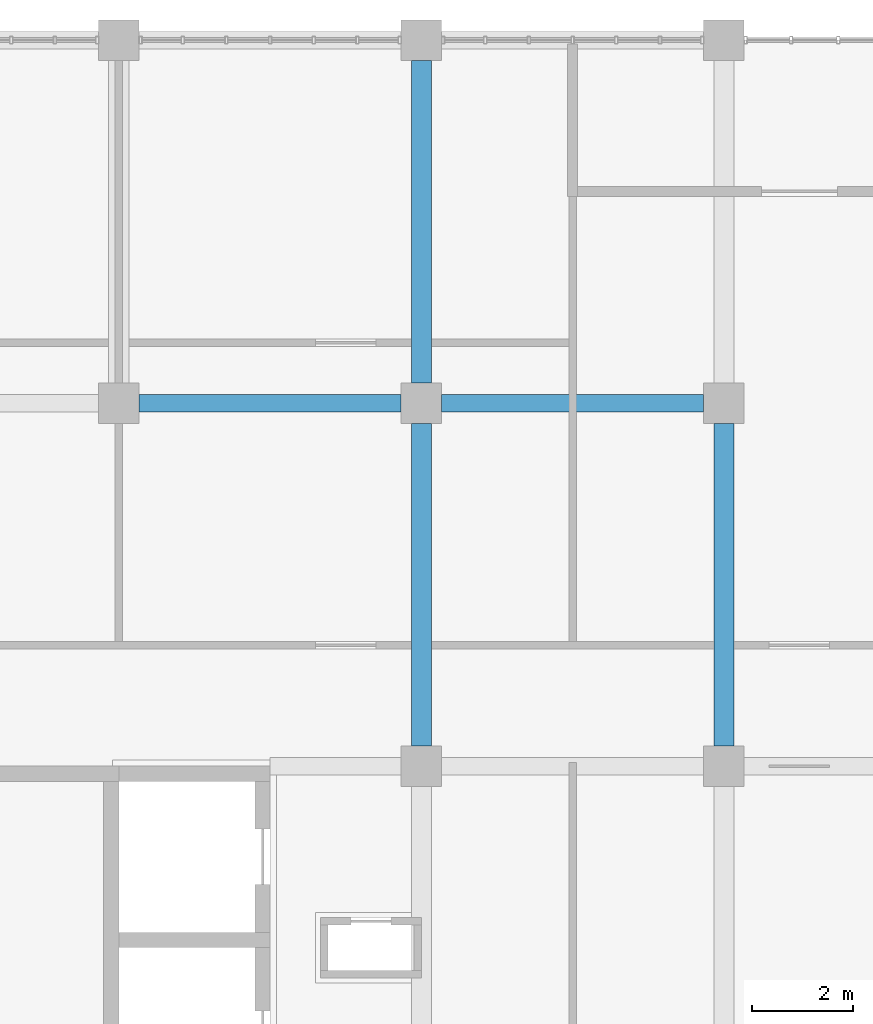
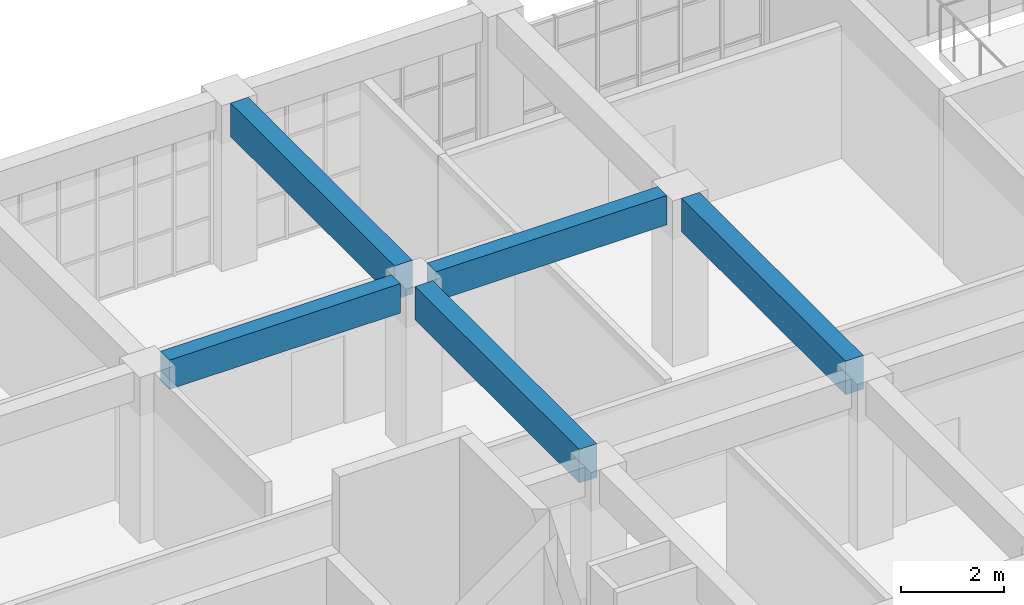
# One storey, part 9 of 51: 5 beams.
"""IFC4 building model written with IfcOpenShell, lengths in metres."""

from ifc_helpers import new_model, si_unit, direction, frame, origin, origin_2d, place, context, subcontext, project, spatial, rectangle, extrude, material, material_profile, profile_set, type_object, element, save


model = new_model("IFC4")

# Units and contexts
model_context = context("Model", 3, precision=1e-05, world=origin(), true_north=direction((0.0, 1.0)))
body_context = subcontext(model_context, "Body", "Model", "MODEL_VIEW")
ifc_project = project(units=[si_unit("LENGTHUNIT", "METRE"), si_unit("AREAUNIT", "SQUARE_METRE"), si_unit("VOLUMEUNIT", "CUBIC_METRE"), si_unit("PLANEANGLEUNIT", "RADIAN"), si_unit("MASSUNIT", "GRAM", prefix="KILO")], contexts=[model_context])

# Site, building, storey
site_placement = place(None, origin())
site = spatial("IfcSite", under=ifc_project, at=site_placement, CompositionType="ELEMENT")
building_placement = place(site_placement, origin())
building = spatial("IfcBuilding", under=site, at=building_placement, Name="Laocheng Heights Fire and Rescue Headquarters", CompositionType="ELEMENT")
storey_placement = place(building_placement, frame((0.0, 0.0, 21.0)))
storey = spatial("IfcBuildingStorey", under=building, at=storey_placement, Name="L05", CompositionType="ELEMENT", Elevation=21.0)

# Beams
ifc_material_1 = material(Name="Concrete C40", Category="concrete")
ifc_material_profile_1 = material_profile(ifc_material_1, rectangle(XDim=0.35009765625, YDim=0.699951171875, at=origin_2d()), Name="RC BEAM 350x700 HQ ROOF")
ifc_profile_set_1 = profile_set([ifc_material_profile_1], Name="Concrete C40")
beam_type_1 = type_object("IfcBeamType", Name="RC BEAM 350x700 HQ ROOF", PredefinedType="BEAM", material=ifc_profile_set_1)
for number, where, z_axis, x_axis, name in (
    (1, (48.39990234375, 64.800048828125, 3.60009765625), (1.0, 0.0, 0.0), (0.0, 1.0, 0.0), "HQ beam L05"),
    (2, (54.39990234375, 64.800048828125, 3.60009765625), (1.0, 0.0, 0.0), (0.0, 1.0, 0.0), "HQ beam L05"),
):
    element("IfcBeam", number, at=place(storey_placement, frame(where, z_axis=z_axis, x_axis=x_axis)), inside=storey, type_object=beam_type_1, Name=name, PredefinedType="BEAM", context=body_context, shape_type="SweptSolid", body=[
        extrude(rectangle(XDim=0.35009765625, YDim=0.699951171875, at=origin_2d()), origin(), (0.0, 0.0, 1.0), 5.2001953125),
    ])
ifc_material_2 = material(Name="Concrete C40", Category="concrete")
ifc_material_profile_2 = material_profile(ifc_material_2, rectangle(XDim=0.39990234375, YDim=0.800048828125, at=origin_2d()), Name="RC BEAM 400x800 HQ ROOF")
ifc_profile_set_2 = profile_set([ifc_material_profile_2], Name="Concrete C40")
beam_type_2 = type_object("IfcBeamType", Name="RC BEAM 400x800 HQ ROOF", PredefinedType="BEAM", material=ifc_profile_set_2)
beam_1_placement = place(storey_placement, frame((54.0, 58.0, 3.550048828125), z_axis=(0.0, 1.0, 0.0), x_axis=(-1.0, 0.0, 0.0)))
element("IfcBeam", 3, at=beam_1_placement, inside=storey, type_object=beam_type_2, Name="HQ beam L05", PredefinedType="BEAM", context=body_context, shape_type="SweptSolid", body=[
    extrude(rectangle(XDim=0.39990234375, YDim=0.800048828125, at=origin_2d()), origin(), (0.0, 0.0, 1.0), 6.39990234375),
])
beam_2_placement = place(storey_placement, frame((54.0, 65.199951171875, 3.550048828125), z_axis=(0.0, 1.0, 0.0), x_axis=(-1.0, 0.0, 0.0)))
element("IfcBeam", 4, at=beam_2_placement, inside=storey, type_object=beam_type_2, Name="HQ beam L05", PredefinedType="BEAM", context=body_context, shape_type="SweptSolid", body=[
    extrude(rectangle(XDim=0.39990234375, YDim=0.800048828125, at=origin_2d()), origin(), (0.0, 0.0, 1.0), 6.400146484375),
])
beam_3_placement = place(storey_placement, frame((60.0, 58.0, 3.550048828125), z_axis=(0.0, 1.0, 0.0), x_axis=(-1.0, 0.0, 0.0)))
element("IfcBeam", 5, at=beam_3_placement, inside=storey, type_object=beam_type_2, Name="HQ beam L05", PredefinedType="BEAM", context=body_context, shape_type="SweptSolid", body=[
    extrude(rectangle(XDim=0.39990234375, YDim=0.800048828125, at=origin_2d()), origin(), (0.0, 0.0, 1.0), 6.39990234375),
])

save(model, "model.ifc")
